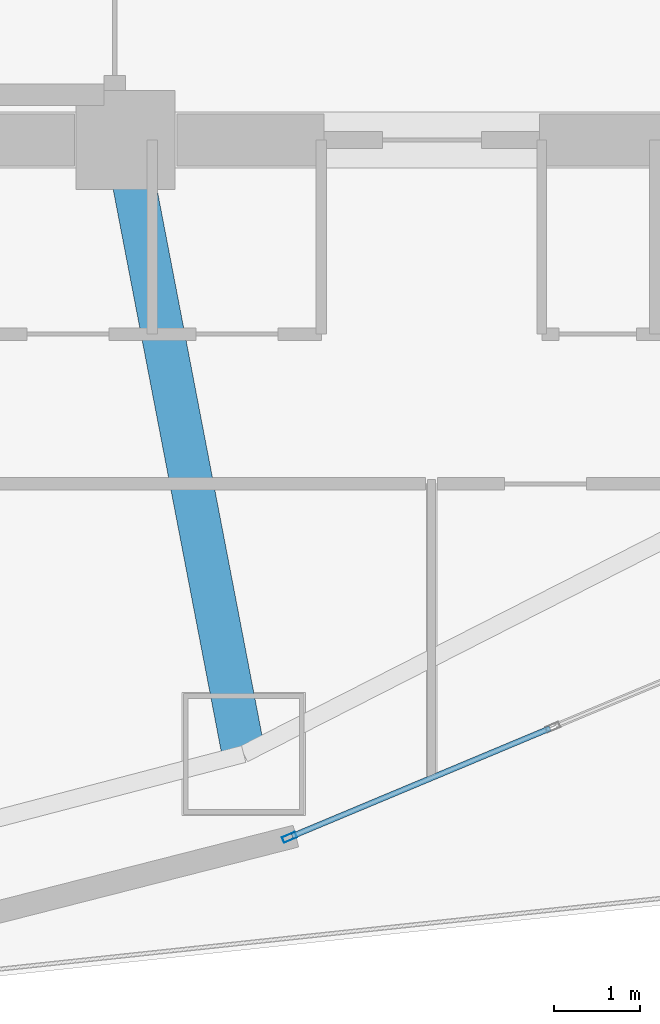
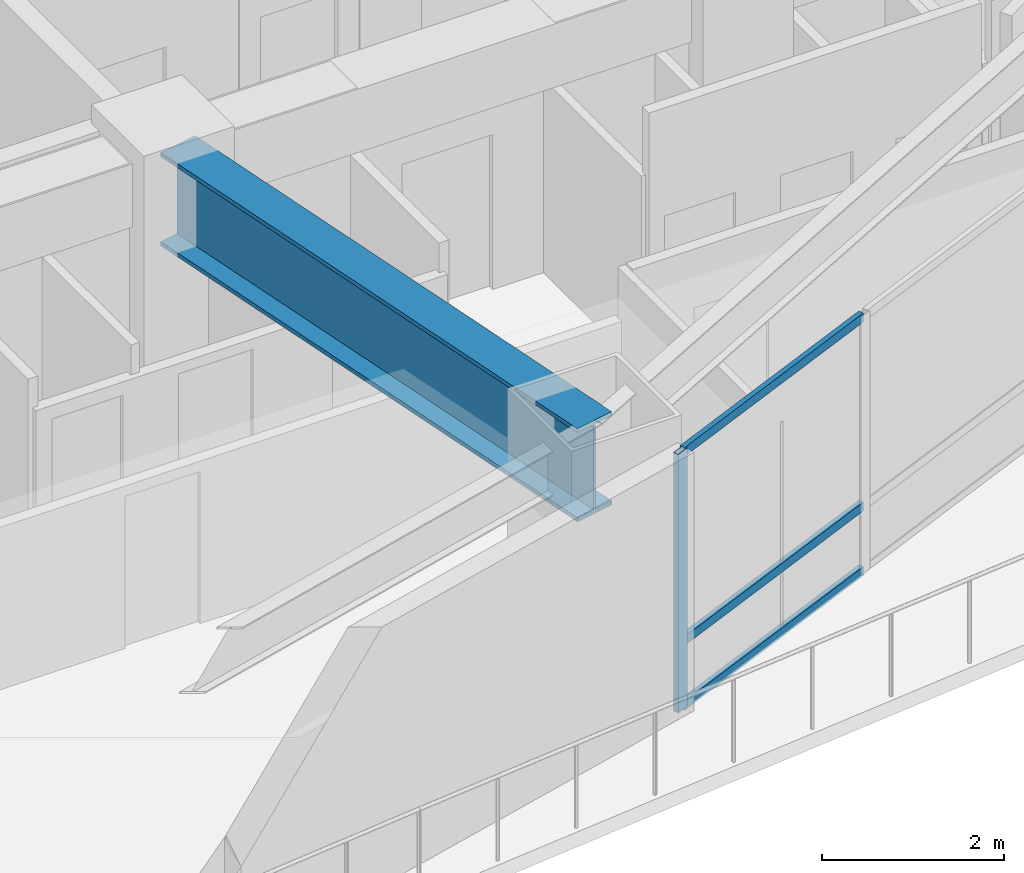
# One storey, part 2 of 19: 4 members, 1 beam, 1 element without a shape of its own.
"""IFC4 building model written with IfcOpenShell, lengths in metres."""

from ifc_helpers import new_model, si_unit, direction, frame, origin, origin_2d, place, context, subcontext, project, spatial, hollow_rectangle, i_section, extrude, material, layer, layer_set, material_profile, profile_set, type_object, element, aggregate, save


model = new_model("IFC4")

# Units and contexts
model_context = context("Model", 3, precision=1e-05, world=origin(), true_north=direction((0.0, 1.0)))
body_context = subcontext(model_context, "Body", "Model", "MODEL_VIEW")
ifc_project = project(units=[si_unit("LENGTHUNIT", "METRE"), si_unit("AREAUNIT", "SQUARE_METRE"), si_unit("VOLUMEUNIT", "CUBIC_METRE"), si_unit("PLANEANGLEUNIT", "RADIAN"), si_unit("MASSUNIT", "GRAM", prefix="KILO")], contexts=[model_context])

# Site, building, storey
site_placement = place(None, origin())
site = spatial("IfcSite", under=ifc_project, at=site_placement, CompositionType="ELEMENT")
building_placement = place(site_placement, origin())
building = spatial("IfcBuilding", under=site, at=building_placement, Name="Menara Vayukalpa", CompositionType="ELEMENT")
storey_placement = place(building_placement, frame((0.0, 0.0, 68.52001953125)))
storey = spatial("IfcBuildingStorey", under=building, at=storey_placement, Name="L16", CompositionType="ELEMENT", Elevation=68.52001953125)

# Beam
ifc_material_1 = material(Name="Steel S460", Category="steel")
ifc_material_profile_1 = material_profile(ifc_material_1, i_section(OverallWidth=0.5, OverallDepth=1.25, WebThickness=0.028076171875, FlangeThickness=0.054931640625, at=origin_2d()), Name="WG 1250x500x28x55")
ifc_profile_set_1 = profile_set([ifc_material_profile_1], Name="Steel S460")
beam_type = type_object("IfcBeamType", Name="BM-TG2", PredefinedType="BEAM", material=ifc_profile_set_1)
beam_placement = place(storey_placement, frame((22.09716796875, 16.95458984375, 2.844970703125), z_axis=(0.188803432672, -0.982014899995, 0.0), x_axis=(0.982014899995, 0.188803432672, 0.0)))
element("IfcBeam", 1, at=beam_placement, inside=storey, type_object=beam_type, Name="L16 Primary Radial Girder RG08", PredefinedType="BEAM", context=body_context, shape_type="SweptSolid", body=[
    extrude(i_section(OverallWidth=0.5, OverallDepth=1.25, WebThickness=0.028076171875, FlangeThickness=0.054931640625, at=origin_2d()), origin(), (0.0, 0.0, 1.0), 7.00341796875),
])

# Curtain wall, members
ifc_material_2 = material(Name="Anodised Terracotta Aluminium Alloy 6063-T6", Category="masonry")
ifc_layer = layer(ifc_material_2, 0.1650390625)
ifc_layer_set = layer_set([ifc_layer], Name="Anodised Terracotta Aluminium Alloy 6063-T6")
curtain_wall_type = type_object("IfcCurtainWallType", Name="CW-CW2", PredefinedType="USERDEFINED", material=ifc_layer_set)
curtain_wall_placement = place(storey_placement, origin())
curtain_wall = element("IfcCurtainWall", 2, at=curtain_wall_placement, inside=storey, type_object=curtain_wall_type, Name="L16 Low Rise Terracotta Ribbon Curtain Wall CW2 16", ObjectType="UNITISED", PredefinedType="USERDEFINED")
ifc_material_3 = material(Name="Anodised Terracotta Aluminium Alloy 6063-T6", Category="masonry")
ifc_material_profile_2 = material_profile(ifc_material_3, hollow_rectangle(XDim=0.070068359375, YDim=0.1650390625, WallThickness=0.00390625, at=origin_2d()), Name="ALU 70x165x4")
ifc_profile_set_2 = profile_set([ifc_material_profile_2], Name="Anodised Terracotta Aluminium Alloy 6063-T6")
member_type_1 = type_object("IfcMemberType", Name="CWM-CW2", PredefinedType="MULLION", material=ifc_profile_set_2)
member_1_placement = place(storey_placement, frame((23.950927734375, 9.110595703125, 0.0), z_axis=(0.0, 0.0, 1.0), x_axis=(-0.385895120445, 0.922542658101, 0.0)))
member_1 = element("IfcMember", 3, at=member_1_placement, type_object=member_type_1, Name="CW2 mullion 1", PredefinedType="MULLION", context=body_context, shape_type="SweptSolid", body=[
    extrude(hollow_rectangle(XDim=0.070068359375, YDim=0.1650390625, WallThickness=0.00390625, at=origin_2d()), origin(), (0.0, 0.0, 1.0), 3.469970703125),
])
ifc_material_4 = material(Name="Anodised Terracotta Aluminium Alloy 6063-T6", Category="masonry")
ifc_material_profile_3 = material_profile(ifc_material_4, hollow_rectangle(XDim=0.06494140625, YDim=0.1201171875, WallThickness=0.00341796875, at=origin_2d()), Name="ALU 65x120x3.5")
ifc_profile_set_3 = profile_set([ifc_material_profile_3], Name="Anodised Terracotta Aluminium Alloy 6063-T6")
member_type_2 = type_object("IfcMemberType", Name="CWT-CW2", PredefinedType="USERDEFINED", material=ifc_profile_set_3)
member_2_placement = place(storey_placement, frame((23.983154296875, 9.1240234375, 0.032470703125), z_axis=(0.922552588381, 0.385871379699, 0.0), x_axis=(-0.385871379699, 0.922552588381, 0.0)))
member_2 = element("IfcMember", 4, at=member_2_placement, type_object=member_type_2, Name="CW2 transom 1.1", ObjectType="TRANSOM", PredefinedType="USERDEFINED", context=body_context, shape_type="SweptSolid", body=[
    extrude(hollow_rectangle(XDim=0.06494140625, YDim=0.1201171875, WallThickness=0.00341796875, at=origin_2d()), origin(), (0.0, 0.0, 1.0), 3.24267578125),
])
member_3_placement = place(storey_placement, frame((23.983154296875, 9.1240234375, 0.89990234375), z_axis=(0.922552588381, 0.385871379699, 0.0), x_axis=(-0.385871379699, 0.922552588381, 0.0)))
member_3 = element("IfcMember", 5, at=member_3_placement, type_object=member_type_2, Name="CW2 transom 1.2", ObjectType="TRANSOM", PredefinedType="USERDEFINED", context=body_context, shape_type="SweptSolid", body=[
    extrude(hollow_rectangle(XDim=0.06494140625, YDim=0.1201171875, WallThickness=0.00341796875, at=origin_2d()), origin(), (0.0, 0.0, 1.0), 3.24267578125),
])
member_4_placement = place(storey_placement, frame((23.983154296875, 9.1240234375, 3.4375), z_axis=(0.922552588381, 0.385871379699, 0.0), x_axis=(-0.385871379699, 0.922552588381, 0.0)))
member_4 = element("IfcMember", 6, at=member_4_placement, type_object=member_type_2, Name="CW2 transom 1.3", ObjectType="TRANSOM", PredefinedType="USERDEFINED", context=body_context, shape_type="SweptSolid", body=[
    extrude(hollow_rectangle(XDim=0.06494140625, YDim=0.1201171875, WallThickness=0.00341796875, at=origin_2d()), origin(), (0.0, 0.0, 1.0), 3.24267578125),
])
aggregate(curtain_wall, [member_1, member_2, member_3, member_4])

save(model, "model.ifc")
